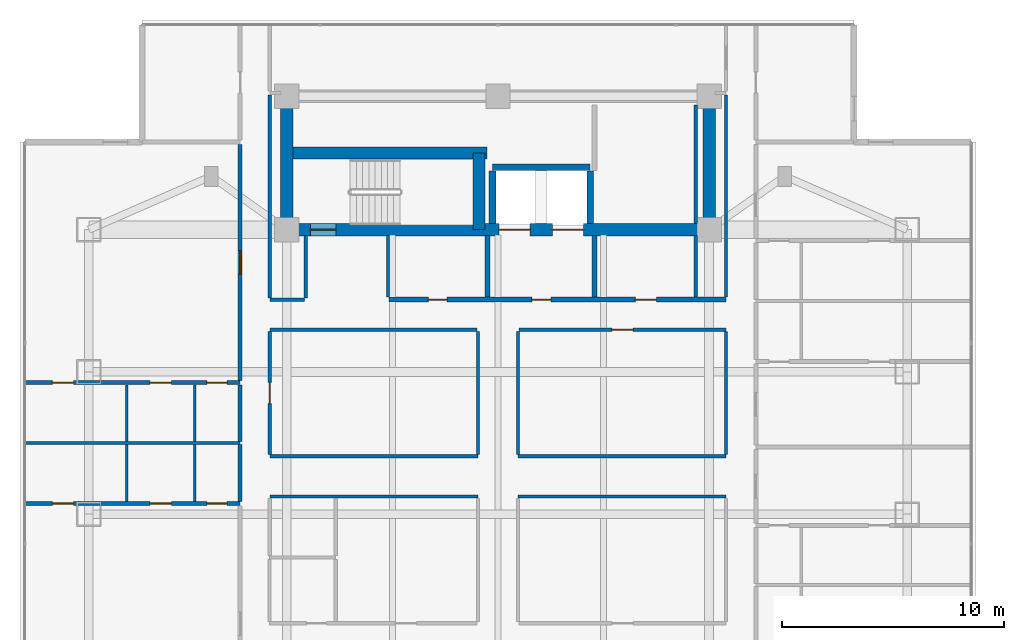
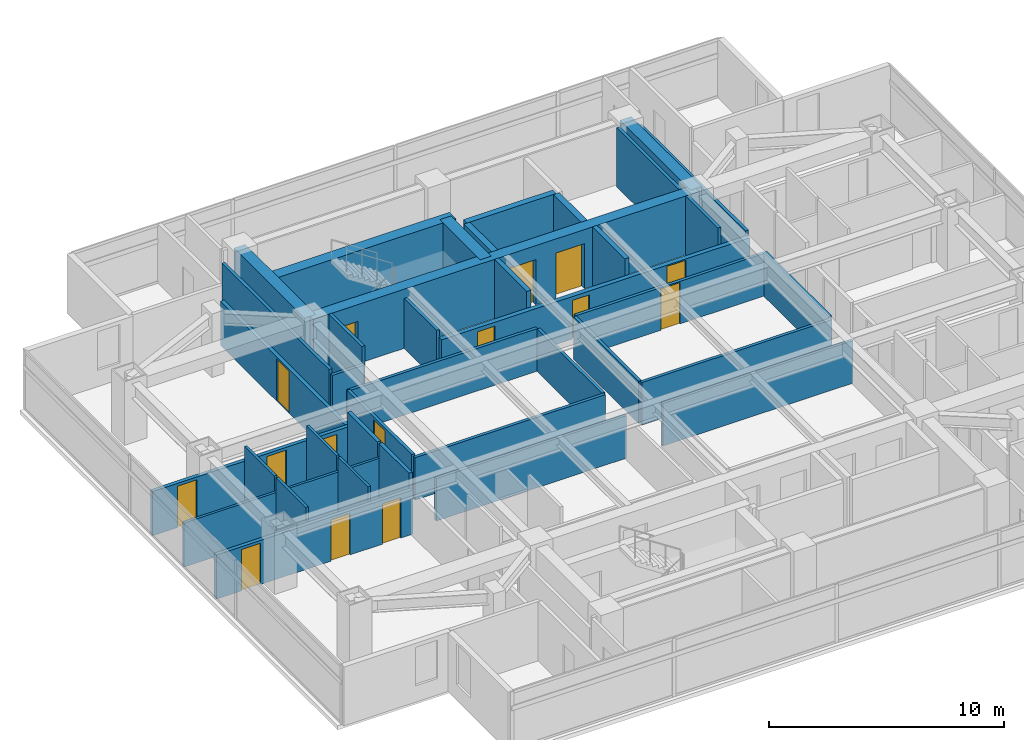
# One storey, part 13 of 24: 38 walls, 15 doors, 15 openings.
"""IFC4 building model written with IfcOpenShell, lengths in metres."""

import ifcopenshell
import ifcopenshell.guid

model = None  # the IFC model being written
_history = None  # IfcOwnerHistory: only IFC2X3 demands one
_inside = {}  # id of a spatial element -> (the spatial element, [elements in it])
_under = {}  # id of a project, library or spatial element -> (it, [spatial elements below it])
_declared = {}  # id of a project -> (the project, [libraries it declares])
_typed = {}  # id of a type object -> (the type object, [elements of that type])
_made_of = {}  # id of a material, layer set ... -> (it, [elements and type objects made of it])


def new_model(schema):
    """Start an empty IFC model of exactly this schema.

    Asked for "IFC4X3", IfcOpenShell would pick the latest addendum, in which some entities
    have other attributes; the version numbers below select the first issue.
    IFC2X3 requires an IfcOwnerHistory on every rooted entity: one is made here for all.
    """
    global model, _history
    if schema == "IFC4X3":
        model = ifcopenshell.file(schema_version=(4, 3, 0, 0))
    else:
        model = ifcopenshell.file(schema=schema)
    _inside.clear()
    _under.clear()
    _declared.clear()
    _typed.clear()
    _made_of.clear()
    _history = None
    if model.schema == "IFC2X3":
        org = make("IfcOrganization", Name="unknown")
        user = make(
            "IfcPersonAndOrganization",
            ThePerson=make("IfcPerson", FamilyName="unknown"),
            TheOrganization=org,
        )
        app = make(
            "IfcApplication",
            ApplicationDeveloper=org,
            Version="unknown",
            ApplicationFullName="unknown",
            ApplicationIdentifier="unknown",
        )
        _history = make(
            "IfcOwnerHistory",
            OwningUser=user,
            OwningApplication=app,
            ChangeAction="ADDED",
            CreationDate=0,
        )
    return model


def make(cls, **values):
    """One entity of the class cls with the attributes given. An attribute that is None is left unset."""
    return model.create_entity(
        cls, **{name: value for name, value in values.items() if value is not None}
    )


def rooted(cls, **values):
    """An entity with a GlobalId (a new one), such as an element, a storey or a relation."""
    return make(cls, GlobalId=ifcopenshell.guid.new(), OwnerHistory=_history, **values)


def si_unit(unit_type, name, prefix=None):
    """IfcSIUnit, for example si_unit("LENGTHUNIT", "METRE", prefix="MILLI")."""
    return make("IfcSIUnit", UnitType=unit_type, Prefix=prefix, Name=name)


def assignment(units):
    """IfcUnitAssignment: the units of a project."""
    return None if units is None else make("IfcUnitAssignment", Units=units)


def point(xyz):
    """IfcCartesianPoint."""
    return None if xyz is None else make("IfcCartesianPoint", Coordinates=xyz)


def direction(xyz):
    """IfcDirection."""
    return None if xyz is None else make("IfcDirection", DirectionRatios=xyz)


def frame(location, z_axis=None, x_axis=None):
    """IfcAxis2Placement3D, a coordinate frame: its origin and axes. An axis left out is left unset."""
    return make(
        "IfcAxis2Placement3D",
        Location=point(location),
        Axis=direction(z_axis),
        RefDirection=direction(x_axis),
    )


def frame_2d(location, x_axis=None):
    """IfcAxis2Placement2D, a coordinate frame in the plane: its origin and x axis."""
    return make(
        "IfcAxis2Placement2D", Location=point(location), RefDirection=direction(x_axis)
    )


def origin():
    """The frame at (0, 0, 0) with its axes left unset."""
    return frame((0.0, 0.0, 0.0))


def place(relative_to, where):
    """IfcLocalPlacement: puts the frame where relative to a parent placement (None: the world)."""
    return make(
        "IfcLocalPlacement", PlacementRelTo=relative_to, RelativePlacement=where
    )


def context(
    kind, dimensions, precision=None, world=None, true_north=None, identifier=None
):
    """IfcGeometricRepresentationContext, for example the 3D "Model" context."""
    return make(
        "IfcGeometricRepresentationContext",
        ContextIdentifier=identifier,
        ContextType=kind,
        CoordinateSpaceDimension=dimensions,
        Precision=precision,
        WorldCoordinateSystem=world,
        TrueNorth=true_north,
    )


def subcontext(parent, identifier, kind, view, scale=None):
    """IfcGeometricRepresentationSubContext, for example "Body" below "Model"."""
    return make(
        "IfcGeometricRepresentationSubContext",
        ContextIdentifier=identifier,
        ContextType=kind,
        ParentContext=parent,
        TargetScale=scale,
        TargetView=view,
    )


def project(units=None, contexts=None):
    """IfcProject with its units and contexts."""
    return rooted(
        "IfcProject",
        Name="project",
        RepresentationContexts=contexts,
        UnitsInContext=assignment(units),
    )


def spatial(cls, under=None, at=None, **own):
    """A site, building, storey or space (cls), placed at a placement, below another one or the project."""
    s = rooted(cls, ObjectPlacement=at, **own)
    if under is not None:
        _under.setdefault(under.id(), (under, []))[1].append(s)
    return s


def profile(cls, at=None, kind="AREA", **sizes):
    """A parametric profile (cls). Its sizes go by their IFC names, for example OverallWidth=200.0."""
    return make(cls, ProfileType=kind, Position=at, **sizes)


def rectangle(**sizes):
    """IfcRectangleProfileDef."""
    return profile("IfcRectangleProfileDef", **sizes)


def extrude(swept, where, along, depth):
    """IfcExtrudedAreaSolid: the profile swept, set in the frame where, extruded along a direction by depth."""
    return make(
        "IfcExtrudedAreaSolid",
        SweptArea=swept,
        Position=where,
        ExtrudedDirection=direction(along),
        Depth=depth,
    )


def shape(context_of_items, identifier, shape_type, items):
    """IfcShapeRepresentation: the items that make up one representation, for example the "Body"."""
    return make(
        "IfcShapeRepresentation",
        ContextOfItems=context_of_items,
        RepresentationIdentifier=identifier,
        RepresentationType=shape_type,
        Items=items,
    )


def material(Name=None, Category=None):
    """IfcMaterial."""
    return make("IfcMaterial", Name=Name, Category=Category)


def layer(
    of_material, thickness, ventilated=None, Name=None, Category=None, Priority=None
):
    """IfcMaterialLayer: one layer of a wall or slab, of a material (None: an air gap)."""
    return make(
        "IfcMaterialLayer",
        Material=of_material,
        LayerThickness=thickness,
        IsVentilated=ventilated,
        Name=Name,
        Category=Category,
        Priority=Priority,
    )


def layer_set(layers, Name=None):
    """IfcMaterialLayerSet."""
    return make("IfcMaterialLayerSet", MaterialLayers=layers, LayerSetName=Name)


def made_of(thing, what):
    """Note that an element or type object is made of a material, layer set ...; save() writes the relation."""
    if what is not None:
        _made_of.setdefault(what.id(), (what, []))[1].append(thing)
    return thing


def type_object(cls, material=None, **own):
    """A type object (cls), such as IfcWallType, which elements share."""
    return made_of(rooted(cls, **own), material)


def element(
    cls,
    number,
    at=None,
    inside=None,
    cuts=None,
    type_object=None,
    material=None,
    context=None,
    identifier="Body",
    shape_type=None,
    held_by="IfcProductDefinitionShape",
    body=None,
    shapes=None,
    **own,
):
    """One element of the class cls, such as IfcWall. Its Tag is "e" and its number.

    at: its placement. inside: the storey or other place that contains it. cuts: it is an
    opening in that element (IfcRelVoidsElement). A single representation is given by context,
    identifier, shape_type and body (its items); several are given by shapes. held_by: the class
    of the entity that holds the representations. save() writes the other relations.
    """
    e = rooted(cls, Tag="e%d" % number, ObjectPlacement=at, **own)
    if body is not None:
        shapes = [shape(context, identifier, shape_type, body)]
    if shapes is not None:
        e.Representation = make(held_by, Representations=shapes)
    if inside is not None:
        _inside.setdefault(inside.id(), (inside, []))[1].append(e)
    if cuts is not None:
        rooted(
            "IfcRelVoidsElement", RelatingBuildingElement=cuts, RelatedOpeningElement=e
        )
    if type_object is not None:
        _typed.setdefault(type_object.id(), (type_object, []))[1].append(e)
    return made_of(e, material)


def fill(opening, filler):
    """IfcRelFillsElement: the door or window that sits in an opening."""
    return rooted(
        "IfcRelFillsElement",
        RelatingOpeningElement=opening,
        RelatedBuildingElement=filler,
    )


def aggregate(whole, parts):
    """IfcRelAggregates: a whole, such as a stair, and the parts it consists of."""
    return rooted("IfcRelAggregates", RelatingObject=whole, RelatedObjects=parts)


def save(model, path):
    """Write the relations noted so far, then the file.

    IfcRelAggregates (storeys below a building ...), IfcRelContainedInSpatialStructure (elements
    in a storey), IfcRelDefinesByType, IfcRelAssociatesMaterial and IfcRelDeclares: one each for
    every whole, place, type object, material and project.
    """
    for whole, parts in _under.values():
        aggregate(whole, parts)
    for where, things in _inside.values():
        rooted(
            "IfcRelContainedInSpatialStructure",
            RelatedElements=things,
            RelatingStructure=where,
        )
    for kind, things in _typed.values():
        rooted("IfcRelDefinesByType", RelatedObjects=things, RelatingType=kind)
    for what, things in _made_of.values():
        rooted("IfcRelAssociatesMaterial", RelatedObjects=things, RelatingMaterial=what)
    for by, libraries in _declared.values():
        rooted("IfcRelDeclares", RelatingContext=by, RelatedDefinitions=libraries)
    model.write(path)


model = new_model("IFC4")

# Units and contexts
model_context = context("Model", 3, precision=1e-05, world=origin(), true_north=direction((0.0, 1.0)))
body_context = subcontext(model_context, "Body", "Model", "MODEL_VIEW")
ifc_project = project(units=[si_unit("LENGTHUNIT", "METRE"), si_unit("AREAUNIT", "SQUARE_METRE"), si_unit("VOLUMEUNIT", "CUBIC_METRE"), si_unit("PLANEANGLEUNIT", "RADIAN"), si_unit("MASSUNIT", "GRAM", prefix="KILO")], contexts=[model_context])

# Site, building, storey
site_placement = place(None, origin())
site = spatial("IfcSite", under=ifc_project, at=site_placement, CompositionType="ELEMENT")
building_placement = place(site_placement, origin())
building = spatial("IfcBuilding", under=site, at=building_placement, Name="Mirazonda Arch Towers", CompositionType="ELEMENT")
storey_placement = place(building_placement, frame((0.0, 0.0, 134.60009765625)))
storey = spatial("IfcBuildingStorey", under=building, at=storey_placement, Name="L38", CompositionType="ELEMENT", Elevation=134.60009765625)

# Walls
ifc_material_1 = material(Name="Concrete C50/60", Category="concrete")
ifc_layer_1 = layer(ifc_material_1, 0.550048828125, Name="WALL-CORE-550")
ifc_layer_set_1 = layer_set([ifc_layer_1], Name="Concrete C50/60")
wall_type_1 = type_object("IfcWallType", Name="WALL-CORE-550", PredefinedType="SHEAR", material=ifc_layer_set_1)
for number, where, z_axis, x_axis, name in (
    (1, (11.0, 37.60009765625, 0.0), (0.0, 0.0, 1.0), (0.0, 1.0, 0.0), "L38 T1N-W Core Shear Wall"),
    (2, (30.0, 37.60009765625, 0.0), (0.0, 0.0, 1.0), (0.0, 1.0, 0.0), "L38 T1N-E Core Shear Wall"),
):
    element("IfcWall", number, at=place(storey_placement, frame(where, z_axis=z_axis, x_axis=x_axis)), inside=storey, type_object=wall_type_1, Name=name, PredefinedType="SHEAR", context=body_context, shape_type="SweptSolid", body=[
        extrude(rectangle(XDim=6.0, YDim=0.550048828125, at=frame_2d((3.0, 0.0))), origin(), (0.0, 0.0, 1.0), 3.079833984375),
    ])

# Wall, openings, doors
wall_1_placement = place(storey_placement, frame((11.0, 37.60009765625, 0.0), z_axis=(0.0, 0.0, 1.0), x_axis=(1.0, 0.0, 0.0)))
wall_1 = element("IfcWall", 3, at=wall_1_placement, inside=storey, type_object=wall_type_1, Name="L38 T1N-S Core Shear Wall", PredefinedType="SHEAR", context=body_context, shape_type="SweptSolid", body=[
    extrude(rectangle(XDim=19.0, YDim=0.550048828125, at=frame_2d((9.5, 0.0))), origin(), (0.0, 0.0, 1.0), 3.079833984375),
])
opening_1_placement = place(wall_1_placement, frame((1.06005859375, 0.0, 0.0)))
opening_1 = element("IfcOpeningElement", 4, at=opening_1_placement, cuts=wall_1, Name="Opening DR-135", PredefinedType="OPENING", context=body_context, shape_type="SweptSolid", body=[
    extrude(rectangle(XDim=1.14990234375, YDim=2.199951171875, at=frame_2d((0.574951171875, 1.10009765625))), frame((0.0, 0.284912109375, 0.0), z_axis=(0.0, -1.0, 0.0), x_axis=(1.0, 0.0, 0.0)), (0.0, 0.0, 1.0), 0.570068359375),
])
opening_2_placement = place(wall_1_placement, frame((9.550048828125, 0.0, 0.0)))
opening_2 = element("IfcOpeningElement", 5, at=opening_2_placement, cuts=wall_1, Name="Opening LD-112", PredefinedType="OPENING", context=body_context, shape_type="SweptSolid", body=[
    extrude(rectangle(XDim=1.39990234375, YDim=2.35009765625, at=frame_2d((0.699951171875, 1.175048828125))), frame((0.0, 0.284912109375, 0.0), z_axis=(0.0, -1.0, 0.0), x_axis=(1.0, 0.0, 0.0)), (0.0, 0.0, 1.0), 0.570068359375),
])
opening_3_placement = place(wall_1_placement, frame((11.949951171875, 0.0, 0.0)))
opening_3 = element("IfcOpeningElement", 6, at=opening_3_placement, cuts=wall_1, Name="Opening LD-112", PredefinedType="OPENING", context=body_context, shape_type="SweptSolid", body=[
    extrude(rectangle(XDim=1.39990234375, YDim=2.35009765625, at=frame_2d((0.699951171875, 1.175048828125))), frame((0.0, 0.284912109375, 0.0), z_axis=(0.0, -1.0, 0.0), x_axis=(1.0, 0.0, 0.0)), (0.0, 0.0, 1.0), 0.570068359375),
])
ifc_material_2 = material(Name="Architectural Brushed Steel S355", Category="steel")
door_type_1 = type_object("IfcDoorType", Name="DOOR-LIFT-FFL-1400", OperationType="NOTDEFINED", PredefinedType="DOOR", material=ifc_material_2)
door_1_placement = place(opening_2_placement, origin())
door_1 = element("IfcDoor", 7, at=door_1_placement, inside=storey, type_object=door_type_1, Name="L38 Lift Landing Sliding Door FFL-T1", OperationType="DOUBLE_DOOR_SLIDING", OverallHeight=2.35009765625, OverallWidth=1.39990234375, PredefinedType="DOOR", context=body_context, shape_type="SweptSolid", body=[
    extrude(rectangle(XDim=1.39990234375, YDim=2.35009765625, at=frame_2d((0.699951171875, 1.175048828125))), frame((0.0, 0.02490234375, 0.0), z_axis=(0.0, -1.0, 0.0), x_axis=(1.0, 0.0, 0.0)), (0.0, 0.0, 1.0), 0.050048828125),
])
fill(opening_2, door_1)
door_2_placement = place(opening_3_placement, origin())
door_2 = element("IfcDoor", 8, at=door_2_placement, inside=storey, type_object=door_type_1, Name="L38 Lift Landing Sliding Door SVL-T1", OperationType="DOUBLE_DOOR_SLIDING", OverallHeight=2.35009765625, OverallWidth=1.39990234375, PredefinedType="DOOR", context=body_context, shape_type="SweptSolid", body=[
    extrude(rectangle(XDim=1.39990234375, YDim=2.35009765625, at=frame_2d((0.699951171875, 1.175048828125))), frame((0.0, 0.02490234375, 0.0), z_axis=(0.0, -1.0, 0.0), x_axis=(1.0, 0.0, 0.0)), (0.0, 0.0, 1.0), 0.050048828125),
])
fill(opening_3, door_2)
door_type_2 = type_object("IfcDoorType", Name="DOOR-STAIR-FD90-1150", OperationType="NOTDEFINED", PredefinedType="DOOR", material=ifc_material_2)
door_3_placement = place(opening_1_placement, origin())
door_3 = element("IfcDoor", 9, at=door_3_placement, inside=storey, type_object=door_type_2, Name="L38 Protected Exit Stair North Door", OperationType="SINGLE_SWING_RIGHT", OverallHeight=2.199951171875, OverallWidth=1.14990234375, PredefinedType="DOOR", context=body_context, shape_type="SweptSolid", body=[
    extrude(rectangle(XDim=1.14990234375, YDim=2.199951171875, at=frame_2d((0.574951171875, 1.10009765625))), frame((0.0, 0.02490234375, 0.0), z_axis=(0.0, -1.0, 0.0), x_axis=(1.0, 0.0, 0.0)), (0.0, 0.0, 1.0), 0.050048828125),
])
fill(opening_1, door_3)

# Walls
wall_2_placement = place(storey_placement, frame((11.0, 41.04296875, 0.0), z_axis=(0.0, 0.0, 1.0), x_axis=(1.0, 0.0, 0.0)))
element("IfcWall", 10, at=wall_2_placement, inside=storey, type_object=wall_type_1, Name="L38 T1N-STN Core Shear Wall", PredefinedType="SHEAR", context=body_context, shape_type="SweptSolid", body=[
    extrude(rectangle(XDim=9.0, YDim=0.550048828125, at=frame_2d((4.5, 0.0))), origin(), (0.0, 0.0, 1.0), 3.079833984375),
])
wall_3_placement = place(storey_placement, frame((19.64990234375, 37.60009765625, 0.0), z_axis=(0.0, 0.0, 1.0), x_axis=(0.0, 1.0, 0.0)))
element("IfcWall", 11, at=wall_3_placement, inside=storey, type_object=wall_type_1, Name="L38 T1N-STE Core Shear Wall", PredefinedType="SHEAR", context=body_context, shape_type="SweptSolid", body=[
    extrude(rectangle(XDim=3.44287109375, YDim=0.550048828125, at=frame_2d((1.721435546875, 0.0))), origin(), (0.0, 0.0, 1.0), 3.079833984375),
])

# Wall, openings, doors
ifc_material_3 = material(Name="Concrete C40/50", Category="concrete")
ifc_layer_2 = layer(ifc_material_3, 0.219970703125, Name="WALL-FFL-220")
ifc_layer_set_2 = layer_set([ifc_layer_2], Name="Concrete C40/50")
wall_type_2 = type_object("IfcWallType", Name="WALL-FFL-220", PredefinedType="SOLIDWALL", material=ifc_layer_set_2)
wall_4_placement = place(storey_placement, frame((15.590087890625, 34.449951171875, 0.0), z_axis=(0.0, 0.0, 1.0), x_axis=(1.0, 0.0, 0.0)))
wall_4 = element("IfcWall", 12, at=wall_4_placement, inside=storey, type_object=wall_type_2, Name="L38 Interior Partition 048", PredefinedType="SOLIDWALL", context=body_context, shape_type="SweptSolid", body=[
    extrude(rectangle(XDim=15.169921875, YDim=0.219970703125, at=frame_2d((7.5849609375, 0.0))), origin(), (0.0, 0.0, 1.0), 2.2158203125),
])
opening_4_placement = place(wall_4_placement, frame((6.43505859375, 0.0, 0.0)))
opening_4 = element("IfcOpeningElement", 13, at=opening_4_placement, cuts=wall_4, Name="Opening DR-128", PredefinedType="OPENING", context=body_context, shape_type="SweptSolid", body=[
    extrude(rectangle(XDim=0.85009765625, YDim=2.010009765625, at=frame_2d((0.425048828125, 1.0048828125))), frame((0.0, 0.119873046875, 0.0), z_axis=(0.0, -1.0, 0.0), x_axis=(1.0, 0.0, 0.0)), (0.0, 0.0, 1.0), 0.239990234375),
])
opening_5_placement = place(wall_4_placement, frame((11.0849609375, 0.0, 0.0)))
opening_5 = element("IfcOpeningElement", 14, at=opening_5_placement, cuts=wall_4, Name="Opening DR-104", PredefinedType="OPENING", context=body_context, shape_type="SweptSolid", body=[
    extrude(rectangle(XDim=0.949951171875, YDim=2.14990234375, at=frame_2d((0.47509765625, 1.074951171875))), frame((0.0, 0.119873046875, 0.0), z_axis=(0.0, -1.0, 0.0), x_axis=(1.0, 0.0, 0.0)), (0.0, 0.0, 1.0), 0.239990234375),
])
opening_6_placement = place(wall_4_placement, frame((1.77490234375, 0.0, 0.0)))
opening_6 = element("IfcOpeningElement", 15, at=opening_6_placement, cuts=wall_4, Name="Opening DR-128", PredefinedType="OPENING", context=body_context, shape_type="SweptSolid", body=[
    extrude(rectangle(XDim=0.85009765625, YDim=2.010009765625, at=frame_2d((0.425048828125, 1.0048828125))), frame((0.0, 0.119873046875, 0.0), z_axis=(0.0, -1.0, 0.0), x_axis=(1.0, 0.0, 0.0)), (0.0, 0.0, 1.0), 0.239990234375),
])
door_type_3 = type_object("IfcDoorType", Name="DOOR-RISER-FD60-850", OperationType="NOTDEFINED", PredefinedType="DOOR", material=ifc_material_2)
door_4_placement = place(opening_4_placement, origin())
door_4 = element("IfcDoor", 16, at=door_4_placement, inside=storey, type_object=door_type_3, Name="L38 Firefighting Lift Lobby Door", OperationType="SINGLE_SWING_LEFT", OverallHeight=2.010009765625, OverallWidth=0.85009765625, PredefinedType="DOOR", context=body_context, shape_type="SweptSolid", body=[
    extrude(rectangle(XDim=0.85009765625, YDim=2.010009765625, at=frame_2d((0.425048828125, 1.0048828125))), frame((0.0, 0.02490234375, 0.0), z_axis=(0.0, -1.0, 0.0), x_axis=(1.0, 0.0, 0.0)), (0.0, 0.0, 1.0), 0.050048828125),
])
fill(opening_4, door_4)
door_5_placement = place(opening_6_placement, origin())
door_5 = element("IfcDoor", 17, at=door_5_placement, inside=storey, type_object=door_type_3, Name="L38 Housekeeping Linen Room Door", OperationType="SINGLE_SWING_LEFT", OverallHeight=2.010009765625, OverallWidth=0.85009765625, PredefinedType="DOOR", context=body_context, shape_type="SweptSolid", body=[
    extrude(rectangle(XDim=0.85009765625, YDim=2.010009765625, at=frame_2d((0.425048828125, 1.0048828125))), frame((0.0, 0.02490234375, 0.0), z_axis=(0.0, -1.0, 0.0), x_axis=(1.0, 0.0, 0.0)), (0.0, 0.0, 1.0), 0.050048828125),
])
fill(opening_6, door_5)
door_type_4 = type_object("IfcDoorType", Name="DOOR-ROOM-950", OperationType="NOTDEFINED", PredefinedType="DOOR", material=ifc_material_2)
door_6_placement = place(opening_5_placement, origin())
door_6 = element("IfcDoor", 18, at=door_6_placement, inside=storey, type_object=door_type_4, Name="L38 Executive Reading Library Door", OperationType="SINGLE_SWING_RIGHT", OverallHeight=2.14990234375, OverallWidth=0.949951171875, PredefinedType="DOOR", context=body_context, shape_type="SweptSolid", body=[
    extrude(rectangle(XDim=0.949951171875, YDim=2.14990234375, at=frame_2d((0.47509765625, 1.074951171875))), frame((0.0, 0.02490234375, 0.0), z_axis=(0.0, -1.0, 0.0), x_axis=(1.0, 0.0, 0.0)), (0.0, 0.0, 1.0), 0.050048828125),
])
fill(opening_5, door_6)

# Walls
for number, where, z_axis, x_axis, name in (
    (19, (20.02490234375, 34.570068359375, 0.0), (0.0, 0.0, 1.0), (0.0, 1.0, 0.0), "L38 Interior Partition 087"),
    (20, (24.85009765625, 34.570068359375, 0.0), (0.0, 0.0, 1.0), (0.0, 1.0, 0.0), "L38 Interior Partition 096"),
):
    element("IfcWall", number, at=place(storey_placement, frame(where, z_axis=z_axis, x_axis=x_axis)), inside=storey, type_object=wall_type_2, Name=name, PredefinedType="SOLIDWALL", context=body_context, shape_type="SweptSolid", body=[
        extrude(rectangle(XDim=2.760009765625, YDim=0.219970703125, at=frame_2d((1.3798828125, 0.0))), origin(), (0.0, 0.0, 1.0), 3.079833984375),
    ])
ifc_material_4 = material(Name="Fire-Rated Gypsum Stud Partition")
ifc_layer_3 = layer(ifc_material_4, 0.14990234375, Name="WALL-PART-CORR-150")
ifc_layer_set_3 = layer_set([ifc_layer_3], Name="Fire-Rated Gypsum Stud Partition")
wall_type_3 = type_object("IfcWallType", Name="WALL-PART-CORR-150", PredefinedType="PARTITIONING", material=ifc_layer_set_3)
for number, where, z_axis, x_axis, name in (
    (21, (10.239990234375, 25.60009765625, 0.0), (0.0, 0.0, 1.0), (1.0, 0.0, 0.0), "L38 Interior Partition 029"),
    (22, (21.39990234375, 25.60009765625, 0.0), (0.0, 0.0, 1.0), (1.0, 0.0, 0.0), "L38 Interior Partition 030"),
    (23, (10.239990234375, 27.39990234375, 0.0), (0.0, 0.0, 1.0), (1.0, 0.0, 0.0), "L38 Interior Partition 032"),
    (24, (21.39990234375, 27.39990234375, 0.0), (0.0, 0.0, 1.0), (1.0, 0.0, 0.0), "L38 Interior Partition 033"),
):
    element("IfcWall", number, at=place(storey_placement, frame(where, z_axis=z_axis, x_axis=x_axis)), inside=storey, type_object=wall_type_3, Name=name, PredefinedType="PARTITIONING", context=body_context, shape_type="SweptSolid", body=[
        extrude(rectangle(XDim=9.360107421875, YDim=0.14990234375, at=frame_2d((4.68017578125, 0.0))), origin(), (0.0, 0.0, 1.0), 2.2158203125),
    ])
wall_5_placement = place(storey_placement, frame((10.239990234375, 33.10009765625, 0.0), z_axis=(0.0, 0.0, 1.0), x_axis=(1.0, 0.0, 0.0)))
element("IfcWall", 25, at=wall_5_placement, inside=storey, type_object=wall_type_3, Name="L38 Interior Partition 044", PredefinedType="PARTITIONING", context=body_context, shape_type="SweptSolid", body=[
    extrude(rectangle(XDim=9.320068359375, YDim=0.14990234375, at=frame_2d((4.66015625, 0.0))), origin(), (0.0, 0.0, 1.0), 2.2158203125),
])

# Wall, opening, door
wall_6_placement = place(storey_placement, frame((21.43994140625, 33.10009765625, 0.0), z_axis=(0.0, 0.0, 1.0), x_axis=(1.0, 0.0, 0.0)))
wall_6 = element("IfcWall", 26, at=wall_6_placement, inside=storey, type_object=wall_type_3, Name="L38 Interior Partition 045", PredefinedType="PARTITIONING", context=body_context, shape_type="SweptSolid", body=[
    extrude(rectangle(XDim=9.320068359375, YDim=0.14990234375, at=frame_2d((4.66015625, 0.0))), origin(), (0.0, 0.0, 1.0), 2.2158203125),
])
opening_7_placement = place(wall_6_placement, frame((4.18505859375, 0.0, 0.0)))
opening_7 = element("IfcOpeningElement", 27, at=opening_7_placement, cuts=wall_6, Name="Opening DR-104", PredefinedType="OPENING", context=body_context, shape_type="SweptSolid", body=[
    extrude(rectangle(XDim=0.949951171875, YDim=2.14990234375, at=frame_2d((0.47509765625, 1.074951171875))), frame((0.0, 0.0849609375, 0.0), z_axis=(0.0, -1.0, 0.0), x_axis=(1.0, 0.0, 0.0)), (0.0, 0.0, 1.0), 0.169921875),
])
door_7_placement = place(opening_7_placement, origin())
door_7 = element("IfcDoor", 28, at=door_7_placement, inside=storey, type_object=door_type_4, Name="L38 L38 North-East Cruciform Study Door", OperationType="SINGLE_SWING_RIGHT", OverallHeight=2.14990234375, OverallWidth=0.949951171875, PredefinedType="DOOR", context=body_context, shape_type="SweptSolid", body=[
    extrude(rectangle(XDim=0.949951171875, YDim=2.14990234375, at=frame_2d((0.47509765625, 1.074951171875))), frame((0.0, 0.02490234375, 0.0), z_axis=(0.0, -1.0, 0.0), x_axis=(1.0, 0.0, 0.0)), (0.0, 0.0, 1.0), 0.050048828125),
])
fill(opening_7, door_7)

# Wall
wall_7_placement = place(storey_placement, frame((10.239990234375, 34.449951171875, 0.0), z_axis=(0.0, 0.0, 1.0), x_axis=(1.0, 0.0, 0.0)))
element("IfcWall", 29, at=wall_7_placement, inside=storey, type_object=wall_type_3, Name="L38 Interior Partition 047", PredefinedType="PARTITIONING", context=body_context, shape_type="SweptSolid", body=[
    extrude(rectangle(XDim=1.56005859375, YDim=0.14990234375, at=frame_2d((0.780029296875, 0.0))), origin(), (0.0, 0.0, 1.0), 2.2158203125),
])

# Wall, opening, door
wall_8_placement = place(storey_placement, frame((10.239990234375, 27.485107421875, 0.0), z_axis=(0.0, 0.0, 1.0), x_axis=(0.0, 1.0, 0.0)))
wall_8 = element("IfcWall", 30, at=wall_8_placement, inside=storey, type_object=wall_type_3, Name="L38 Interior Partition 076", PredefinedType="PARTITIONING", context=body_context, shape_type="SweptSolid", body=[
    extrude(rectangle(XDim=5.52978515625, YDim=0.14990234375, at=frame_2d((2.764892578125, 0.0))), origin(), (0.0, 0.0, 1.0), 2.298828125),
])
opening_8_placement = place(wall_8_placement, frame((2.2900390625, 0.0, 0.0)))
opening_8 = element("IfcOpeningElement", 31, at=opening_8_placement, cuts=wall_8, Name="Opening DR-104", PredefinedType="OPENING", context=body_context, shape_type="SweptSolid", body=[
    extrude(rectangle(XDim=0.949951171875, YDim=2.14990234375, at=frame_2d((0.47509765625, 1.074951171875))), frame((0.0, 0.0849609375, 0.0), z_axis=(0.0, -1.0, 0.0), x_axis=(1.0, 0.0, 0.0)), (0.0, 0.0, 1.0), 0.169921875),
])
door_8_placement = place(opening_8_placement, origin())
door_8 = element("IfcDoor", 32, at=door_8_placement, inside=storey, type_object=door_type_4, Name="L38 L38 West Courtyard Reading Salon Door", OperationType="SINGLE_SWING_RIGHT", OverallHeight=2.14990234375, OverallWidth=0.949951171875, PredefinedType="DOOR", context=body_context, shape_type="SweptSolid", body=[
    extrude(rectangle(XDim=0.949951171875, YDim=2.14990234375, at=frame_2d((0.47509765625, 1.074951171875))), frame((0.0, 0.02490234375, 0.0), z_axis=(0.0, -1.0, 0.0), x_axis=(1.0, 0.0, 0.0)), (0.0, 0.0, 1.0), 0.050048828125),
])
fill(opening_8, door_8)

# Walls
wall_9_placement = place(storey_placement, frame((10.239990234375, 34.534912109375, 0.0), z_axis=(0.0, 0.0, 1.0), x_axis=(0.0, 1.0, 0.0)))
element("IfcWall", 33, at=wall_9_placement, inside=storey, type_object=wall_type_3, Name="L38 Interior Partition 077", PredefinedType="PARTITIONING", context=body_context, shape_type="SweptSolid", body=[
    extrude(rectangle(XDim=9.130126953125, YDim=0.14990234375, at=frame_2d((4.56494140625, 0.0))), origin(), (0.0, 0.0, 1.0), 2.455810546875),
])
wall_10_placement = place(storey_placement, frame((11.85009765625, 34.534912109375, 0.0), z_axis=(0.0, 0.0, 1.0), x_axis=(0.0, 1.0, 0.0)))
element("IfcWall", 34, at=wall_10_placement, inside=storey, type_object=wall_type_3, Name="L38 Interior Partition 079", PredefinedType="PARTITIONING", context=body_context, shape_type="SweptSolid", body=[
    extrude(rectangle(XDim=2.795166015625, YDim=0.14990234375, at=frame_2d((1.3974609375, 0.0))), origin(), (0.0, 0.0, 1.0), 3.079833984375),
])
wall_11_placement = place(storey_placement, frame((15.550048828125, 34.570068359375, 0.0), z_axis=(0.0, 0.0, 1.0), x_axis=(0.0, 1.0, 0.0)))
element("IfcWall", 35, at=wall_11_placement, inside=storey, type_object=wall_type_3, Name="L38 Interior Partition 082", PredefinedType="PARTITIONING", context=body_context, shape_type="SweptSolid", body=[
    extrude(rectangle(XDim=2.760009765625, YDim=0.14990234375, at=frame_2d((1.3798828125, 0.0))), origin(), (0.0, 0.0, 1.0), 2.60888671875),
])
for number, where, z_axis, x_axis, name in (
    (36, (19.60009765625, 27.485107421875, 0.0), (0.0, 0.0, 1.0), (0.0, 1.0, 0.0), "L38 Interior Partition 085"),
    (37, (21.39990234375, 27.485107421875, 0.0), (0.0, 0.0, 1.0), (0.0, 1.0, 0.0), "L38 Interior Partition 092"),
):
    element("IfcWall", number, at=place(storey_placement, frame(where, z_axis=z_axis, x_axis=x_axis)), inside=storey, type_object=wall_type_3, Name=name, PredefinedType="PARTITIONING", context=body_context, shape_type="SweptSolid", body=[
        extrude(rectangle(XDim=5.52978515625, YDim=0.14990234375, at=frame_2d((2.764892578125, 0.0))), origin(), (0.0, 0.0, 1.0), 2.2158203125),
    ])
wall_12_placement = place(storey_placement, frame((29.39990234375, 34.570068359375, 0.0), z_axis=(0.0, 0.0, 1.0), x_axis=(0.0, 1.0, 0.0)))
element("IfcWall", 38, at=wall_12_placement, inside=storey, type_object=wall_type_3, Name="L38 Interior Partition 099", PredefinedType="PARTITIONING", context=body_context, shape_type="SweptSolid", body=[
    extrude(rectangle(XDim=2.760009765625, YDim=0.14990234375, at=frame_2d((1.3798828125, 0.0))), origin(), (0.0, 0.0, 1.0), 3.079833984375),
])
wall_13_placement = place(storey_placement, frame((29.39990234375, 37.8701171875, 0.0), z_axis=(0.0, 0.0, 1.0), x_axis=(0.0, 1.0, 0.0)))
element("IfcWall", 39, at=wall_13_placement, inside=storey, type_object=wall_type_3, Name="L38 Interior Partition 100", PredefinedType="PARTITIONING", context=body_context, shape_type="SweptSolid", body=[
    extrude(rectangle(XDim=5.329833984375, YDim=0.14990234375, at=frame_2d((2.6650390625, 0.0))), origin(), (0.0, 0.0, 1.0), 3.079833984375),
])
wall_14_placement = place(storey_placement, frame((30.760009765625, 27.485107421875, 0.0), z_axis=(0.0, 0.0, 1.0), x_axis=(0.0, 1.0, 0.0)))
element("IfcWall", 40, at=wall_14_placement, inside=storey, type_object=wall_type_3, Name="L38 Interior Partition 104", PredefinedType="PARTITIONING", context=body_context, shape_type="SweptSolid", body=[
    extrude(rectangle(XDim=5.52978515625, YDim=0.14990234375, at=frame_2d((2.764892578125, 0.0))), origin(), (0.0, 0.0, 1.0), 2.298828125),
])
wall_15_placement = place(storey_placement, frame((30.760009765625, 34.570068359375, 0.0), z_axis=(0.0, 0.0, 1.0), x_axis=(0.0, 1.0, 0.0)))
element("IfcWall", 41, at=wall_15_placement, inside=storey, type_object=wall_type_3, Name="L38 Interior Partition 105", PredefinedType="PARTITIONING", context=body_context, shape_type="SweptSolid", body=[
    extrude(rectangle(XDim=9.094970703125, YDim=0.14990234375, at=frame_2d((4.54736328125, 0.0))), origin(), (0.0, 0.0, 1.0), 2.455810546875),
])

# Wall, openings, doors
ifc_material_5 = material(Name="Fire-Rated Gypsum Twin-Stud Assembly")
ifc_layer_4 = layer(ifc_material_5, 0.179931640625, Name="WALL-PART-DEMISE-180")
ifc_layer_set_4 = layer_set([ifc_layer_4], Name="Fire-Rated Gypsum Twin-Stud Assembly")
wall_type_4 = type_object("IfcWallType", Name="WALL-PART-DEMISE-180", PredefinedType="PARTITIONING", material=ifc_layer_set_4)
wall_16_placement = place(storey_placement, frame((-0.780029296875, 25.280029296875, 0.0), z_axis=(0.0, 0.0, 1.0), x_axis=(1.0, 0.0, 0.0)))
wall_16 = element("IfcWall", 42, at=wall_16_placement, inside=storey, type_object=wall_type_4, Name="L38 Interior Partition 028", PredefinedType="PARTITIONING", context=body_context, shape_type="SweptSolid", body=[
    extrude(rectangle(XDim=9.679931640625, YDim=0.179931640625, at=frame_2d((4.83984375, 0.0))), origin(), (0.0, 0.0, 1.0), 2.298828125),
])
opening_9_placement = place(wall_16_placement, frame((1.237060546875, 0.0, 0.0)))
opening_9 = element("IfcOpeningElement", 43, at=opening_9_placement, cuts=wall_16, Name="Opening DR-104", PredefinedType="OPENING", context=body_context, shape_type="SweptSolid", body=[
    extrude(rectangle(XDim=0.949951171875, YDim=2.14990234375, at=frame_2d((0.47509765625, 1.074951171875))), frame((0.0, 0.099853515625, 0.0), z_axis=(0.0, -1.0, 0.0), x_axis=(1.0, 0.0, 0.0)), (0.0, 0.0, 1.0), 0.199951171875),
])
opening_10_placement = place(wall_16_placement, frame((5.636962890625, 0.0, 0.0)))
opening_10 = element("IfcOpeningElement", 44, at=opening_10_placement, cuts=wall_16, Name="Opening DR-104", PredefinedType="OPENING", context=body_context, shape_type="SweptSolid", body=[
    extrude(rectangle(XDim=0.949951171875, YDim=2.14990234375, at=frame_2d((0.47509765625, 1.074951171875))), frame((0.0, 0.099853515625, 0.0), z_axis=(0.0, -1.0, 0.0), x_axis=(1.0, 0.0, 0.0)), (0.0, 0.0, 1.0), 0.199951171875),
])
opening_11_placement = place(wall_16_placement, frame((8.18994140625, 0.0, 0.0)))
opening_11 = element("IfcOpeningElement", 45, at=opening_11_placement, cuts=wall_16, Name="Opening DR-120", PredefinedType="OPENING", context=body_context, shape_type="SweptSolid", body=[
    extrude(rectangle(XDim=0.89990234375, YDim=2.10009765625, at=frame_2d((0.449951171875, 1.050048828125))), frame((0.0, 0.099853515625, 0.0), z_axis=(0.0, -1.0, 0.0), x_axis=(1.0, 0.0, 0.0)), (0.0, 0.0, 1.0), 0.199951171875),
])
door_9_placement = place(opening_9_placement, origin())
door_9 = element("IfcDoor", 46, at=door_9_placement, inside=storey, type_object=door_type_4, Name="L38 Residence 1 Principal Bedroom Door", OperationType="SINGLE_SWING_RIGHT", OverallHeight=2.14990234375, OverallWidth=0.949951171875, PredefinedType="DOOR", context=body_context, shape_type="SweptSolid", body=[
    extrude(rectangle(XDim=0.949951171875, YDim=2.14990234375, at=frame_2d((0.47509765625, 1.074951171875))), frame((0.0, 0.02490234375, 0.0), z_axis=(0.0, -1.0, 0.0), x_axis=(1.0, 0.0, 0.0)), (0.0, 0.0, 1.0), 0.050048828125),
])
fill(opening_9, door_9)
door_10_placement = place(opening_10_placement, origin())
door_10 = element("IfcDoor", 47, at=door_10_placement, inside=storey, type_object=door_type_4, Name="L38 Residence 1 Fitted Kitchen Door", OperationType="SINGLE_SWING_LEFT", OverallHeight=2.14990234375, OverallWidth=0.949951171875, PredefinedType="DOOR", context=body_context, shape_type="SweptSolid", body=[
    extrude(rectangle(XDim=0.949951171875, YDim=2.14990234375, at=frame_2d((0.47509765625, 1.074951171875))), frame((0.0, 0.02490234375, 0.0), z_axis=(0.0, -1.0, 0.0), x_axis=(1.0, 0.0, 0.0)), (0.0, 0.0, 1.0), 0.050048828125),
])
fill(opening_10, door_10)
door_type_5 = type_object("IfcDoorType", Name="DOOR-WC-900", OperationType="NOTDEFINED", PredefinedType="DOOR", material=ifc_material_2)
door_11_placement = place(opening_11_placement, origin())
door_11 = element("IfcDoor", 48, at=door_11_placement, inside=storey, type_object=door_type_5, Name="L38 Residence 1 Bathroom Door", OperationType="SINGLE_SWING_RIGHT", OverallHeight=2.10009765625, OverallWidth=0.89990234375, PredefinedType="DOOR", context=body_context, shape_type="SweptSolid", body=[
    extrude(rectangle(XDim=0.89990234375, YDim=2.10009765625, at=frame_2d((0.449951171875, 1.050048828125))), frame((0.0, 0.02490234375, 0.0), z_axis=(0.0, -1.0, 0.0), x_axis=(1.0, 0.0, 0.0)), (0.0, 0.0, 1.0), 0.050048828125),
])
fill(opening_11, door_11)

wall_17_placement = place(storey_placement, frame((-0.780029296875, 30.719970703125, 0.0), z_axis=(0.0, 0.0, 1.0), x_axis=(1.0, 0.0, 0.0)))
wall_17 = element("IfcWall", 49, at=wall_17_placement, inside=storey, type_object=wall_type_4, Name="L38 Interior Partition 039", PredefinedType="PARTITIONING", context=body_context, shape_type="SweptSolid", body=[
    extrude(rectangle(XDim=9.679931640625, YDim=0.179931640625, at=frame_2d((4.83984375, 0.0))), origin(), (0.0, 0.0, 1.0), 2.298828125),
])
opening_12_placement = place(wall_17_placement, frame((1.237060546875, 0.0, 0.0)))
opening_12 = element("IfcOpeningElement", 50, at=opening_12_placement, cuts=wall_17, Name="Opening DR-104", PredefinedType="OPENING", context=body_context, shape_type="SweptSolid", body=[
    extrude(rectangle(XDim=0.949951171875, YDim=2.14990234375, at=frame_2d((0.47509765625, 1.074951171875))), frame((0.0, 0.099853515625, 0.0), z_axis=(0.0, -1.0, 0.0), x_axis=(1.0, 0.0, 0.0)), (0.0, 0.0, 1.0), 0.199951171875),
])
opening_13_placement = place(wall_17_placement, frame((5.636962890625, 0.0, 0.0)))
opening_13 = element("IfcOpeningElement", 51, at=opening_13_placement, cuts=wall_17, Name="Opening DR-104", PredefinedType="OPENING", context=body_context, shape_type="SweptSolid", body=[
    extrude(rectangle(XDim=0.949951171875, YDim=2.14990234375, at=frame_2d((0.47509765625, 1.074951171875))), frame((0.0, 0.099853515625, 0.0), z_axis=(0.0, -1.0, 0.0), x_axis=(1.0, 0.0, 0.0)), (0.0, 0.0, 1.0), 0.199951171875),
])
opening_14_placement = place(wall_17_placement, frame((8.18994140625, 0.0, 0.0)))
opening_14 = element("IfcOpeningElement", 52, at=opening_14_placement, cuts=wall_17, Name="Opening DR-120", PredefinedType="OPENING", context=body_context, shape_type="SweptSolid", body=[
    extrude(rectangle(XDim=0.89990234375, YDim=2.10009765625, at=frame_2d((0.449951171875, 1.050048828125))), frame((0.0, 0.099853515625, 0.0), z_axis=(0.0, -1.0, 0.0), x_axis=(1.0, 0.0, 0.0)), (0.0, 0.0, 1.0), 0.199951171875),
])
door_12_placement = place(opening_12_placement, origin())
door_12 = element("IfcDoor", 53, at=door_12_placement, inside=storey, type_object=door_type_4, Name="L38 Residence 2 Principal Bedroom Door", OperationType="SINGLE_SWING_RIGHT", OverallHeight=2.14990234375, OverallWidth=0.949951171875, PredefinedType="DOOR", context=body_context, shape_type="SweptSolid", body=[
    extrude(rectangle(XDim=0.949951171875, YDim=2.14990234375, at=frame_2d((0.47509765625, 1.074951171875))), frame((0.0, 0.02490234375, 0.0), z_axis=(0.0, -1.0, 0.0), x_axis=(1.0, 0.0, 0.0)), (0.0, 0.0, 1.0), 0.050048828125),
])
fill(opening_12, door_12)
door_13_placement = place(opening_13_placement, origin())
door_13 = element("IfcDoor", 54, at=door_13_placement, inside=storey, type_object=door_type_4, Name="L38 Residence 2 Fitted Kitchen Door", OperationType="SINGLE_SWING_LEFT", OverallHeight=2.14990234375, OverallWidth=0.949951171875, PredefinedType="DOOR", context=body_context, shape_type="SweptSolid", body=[
    extrude(rectangle(XDim=0.949951171875, YDim=2.14990234375, at=frame_2d((0.47509765625, 1.074951171875))), frame((0.0, 0.02490234375, 0.0), z_axis=(0.0, -1.0, 0.0), x_axis=(1.0, 0.0, 0.0)), (0.0, 0.0, 1.0), 0.050048828125),
])
fill(opening_13, door_13)
door_14_placement = place(opening_14_placement, origin())
door_14 = element("IfcDoor", 55, at=door_14_placement, inside=storey, type_object=door_type_5, Name="L38 Residence 2 Bathroom Door", OperationType="SINGLE_SWING_RIGHT", OverallHeight=2.10009765625, OverallWidth=0.89990234375, PredefinedType="DOOR", context=body_context, shape_type="SweptSolid", body=[
    extrude(rectangle(XDim=0.89990234375, YDim=2.10009765625, at=frame_2d((0.449951171875, 1.050048828125))), frame((0.0, 0.02490234375, 0.0), z_axis=(0.0, -1.0, 0.0), x_axis=(1.0, 0.0, 0.0)), (0.0, 0.0, 1.0), 0.050048828125),
])
fill(opening_14, door_14)

# Walls
for number, where, z_axis, x_axis, name in (
    (56, (8.89990234375, 25.3798828125, 0.0), (0.0, 0.0, 1.0), (0.0, 1.0, 0.0), "L38 Interior Partition 068"),
    (57, (8.89990234375, 28.072509765625, 0.0), (0.0, 0.0, 1.0), (0.0, 1.0, 0.0), "L38 Interior Partition 069"),
):
    element("IfcWall", number, at=place(storey_placement, frame(where, z_axis=z_axis, x_axis=x_axis)), inside=storey, type_object=wall_type_4, Name=name, PredefinedType="PARTITIONING", context=body_context, shape_type="SweptSolid", body=[
        extrude(rectangle(XDim=2.547607421875, YDim=0.179931640625, at=frame_2d((1.27392578125, 0.0))), origin(), (0.0, 0.0, 1.0), 3.079833984375),
    ])

# Wall, opening, door
wall_18_placement = place(storey_placement, frame((8.89990234375, 30.820068359375, 0.0), z_axis=(0.0, 0.0, 1.0), x_axis=(0.0, 1.0, 0.0)))
wall_18 = element("IfcWall", 58, at=wall_18_placement, inside=storey, type_object=wall_type_4, Name="L38 Interior Partition 070", PredefinedType="PARTITIONING", context=body_context, shape_type="SweptSolid", body=[
    extrude(rectangle(XDim=10.619873046875, YDim=0.179931640625, at=frame_2d((5.31005859375, 0.0))), origin(), (0.0, 0.0, 1.0), 2.298828125),
])
opening_15_placement = place(wall_18_placement, frame((4.784912109375, 0.0, 0.0)))
opening_15 = element("IfcOpeningElement", 59, at=opening_15_placement, cuts=wall_18, Name="Opening DR-121", PredefinedType="OPENING", context=body_context, shape_type="SweptSolid", body=[
    extrude(rectangle(XDim=1.050048828125, YDim=2.199951171875, at=frame_2d((0.52490234375, 1.10009765625))), frame((0.0, 0.099853515625, 0.0), z_axis=(0.0, -1.0, 0.0), x_axis=(1.0, 0.0, 0.0)), (0.0, 0.0, 1.0), 0.199951171875),
])
door_type_6 = type_object("IfcDoorType", Name="DOOR-SUITE-FD60-1050", OperationType="NOTDEFINED", PredefinedType="DOOR", material=ifc_material_2)
door_15_placement = place(opening_15_placement, origin())
door_15 = element("IfcDoor", 60, at=door_15_placement, inside=storey, type_object=door_type_6, Name="L38 Penthouse Residence 2 Living & Dining Salon Door", OperationType="SINGLE_SWING_LEFT", OverallHeight=2.199951171875, OverallWidth=1.050048828125, PredefinedType="DOOR", context=body_context, shape_type="SweptSolid", body=[
    extrude(rectangle(XDim=1.050048828125, YDim=2.199951171875, at=frame_2d((0.52490234375, 1.10009765625))), frame((0.0, 0.02490234375, 0.0), z_axis=(0.0, -1.0, 0.0), x_axis=(1.0, 0.0, 0.0)), (0.0, 0.0, 1.0), 0.050048828125),
])
fill(opening_15, door_15)

# Walls
ifc_material_6 = material(Name="Acoustic Fire-Rated Gypsum Partition")
ifc_layer_5 = layer(ifc_material_6, 0.125, Name="WALL-PART-UNIT-125")
ifc_layer_set_5 = layer_set([ifc_layer_5], Name="Acoustic Fire-Rated Gypsum Partition")
wall_type_5 = type_object("IfcWallType", Name="WALL-PART-UNIT-125", PredefinedType="PARTITIONING", material=ifc_layer_set_5)
wall_19_placement = place(storey_placement, frame((-0.780029296875, 28.0, 0.0), z_axis=(0.0, 0.0, 1.0), x_axis=(1.0, 0.0, 0.0)))
element("IfcWall", 61, at=wall_19_placement, inside=storey, type_object=wall_type_5, Name="L38 Interior Partition 036", PredefinedType="PARTITIONING", context=body_context, shape_type="SweptSolid", body=[
    extrude(rectangle(XDim=9.679931640625, YDim=0.125, at=frame_2d((4.83984375, 0.0))), origin(), (0.0, 0.0, 1.0), 2.298828125),
])
for number, where, z_axis, x_axis, name in (
    (62, (3.803955078125, 25.3798828125, 0.0), (0.0, 0.0, 1.0), (0.0, 1.0, 0.0), "L38 Interior Partition 062"),
    (63, (3.803955078125, 28.072509765625, 0.0), (0.0, 0.0, 1.0), (0.0, 1.0, 0.0), "L38 Interior Partition 063"),
    (64, (6.860107421875, 25.3798828125, 0.0), (0.0, 0.0, 1.0), (0.0, 1.0, 0.0), "L38 Interior Partition 064"),
    (65, (6.860107421875, 28.072509765625, 0.0), (0.0, 0.0, 1.0), (0.0, 1.0, 0.0), "L38 Interior Partition 065"),
):
    element("IfcWall", number, at=place(storey_placement, frame(where, z_axis=z_axis, x_axis=x_axis)), inside=storey, type_object=wall_type_5, Name=name, PredefinedType="PARTITIONING", context=body_context, shape_type="SweptSolid", body=[
        extrude(rectangle(XDim=2.547607421875, YDim=0.125, at=frame_2d((1.27392578125, 0.0))), origin(), (0.0, 0.0, 1.0), 3.079833984375),
    ])
ifc_layer_6 = layer(ifc_material_1, 0.300048828125, Name="WALL-SHAFT-300")
ifc_layer_set_6 = layer_set([ifc_layer_6], Name="Concrete C50/60")
wall_type_6 = type_object("IfcWallType", Name="WALL-SHAFT-300", PredefinedType="SOLIDWALL", material=ifc_layer_set_6)
wall_20_placement = place(storey_placement, frame((20.25, 40.39990234375, 0.0), z_axis=(0.0, 0.0, 1.0), x_axis=(1.0, 0.0, 0.0)))
element("IfcWall", 66, at=wall_20_placement, inside=storey, type_object=wall_type_6, Name="L38 Interior Partition 057", PredefinedType="SOLIDWALL", context=body_context, shape_type="SweptSolid", body=[
    extrude(rectangle(XDim=4.39990234375, YDim=0.300048828125, at=frame_2d((2.199951171875, 0.0))), origin(), (0.0, 0.0, 1.0), 3.079833984375),
])
for number, where, z_axis, x_axis, name in (
    (67, (20.25, 37.8701171875, 0.0), (0.0, 0.0, 1.0), (0.0, 1.0, 0.0), "L38 Interior Partition 090"),
    (68, (24.64990234375, 37.8701171875, 0.0), (0.0, 0.0, 1.0), (0.0, 1.0, 0.0), "L38 Interior Partition 094"),
):
    element("IfcWall", number, at=place(storey_placement, frame(where, z_axis=z_axis, x_axis=x_axis)), inside=storey, type_object=wall_type_6, Name=name, PredefinedType="SOLIDWALL", context=body_context, shape_type="SweptSolid", body=[
        extrude(rectangle(XDim=2.369873046875, YDim=0.300048828125, at=frame_2d((1.18505859375, 0.0))), origin(), (0.0, 0.0, 1.0), 3.079833984375),
    ])

save(model, "model.ifc")
